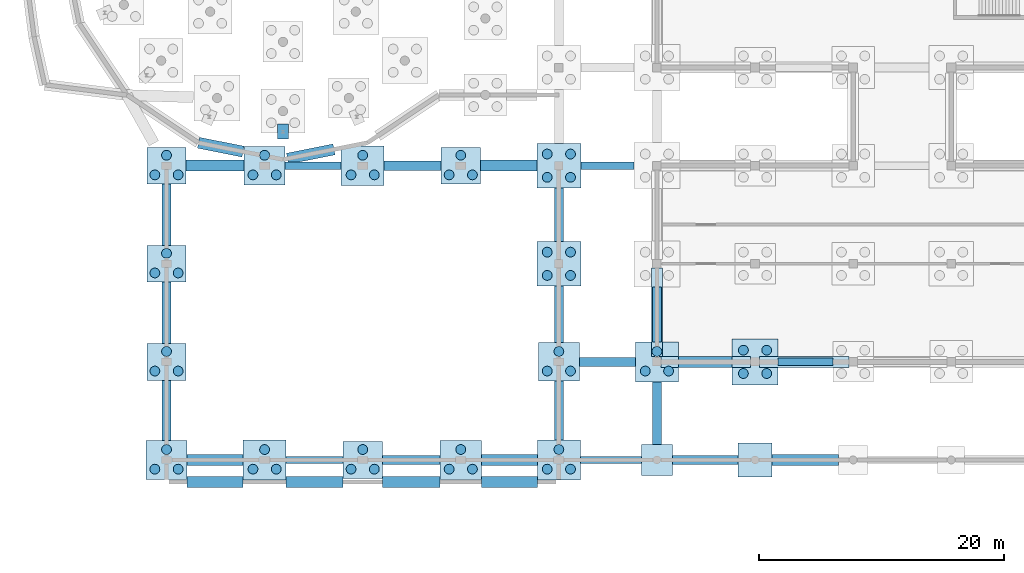
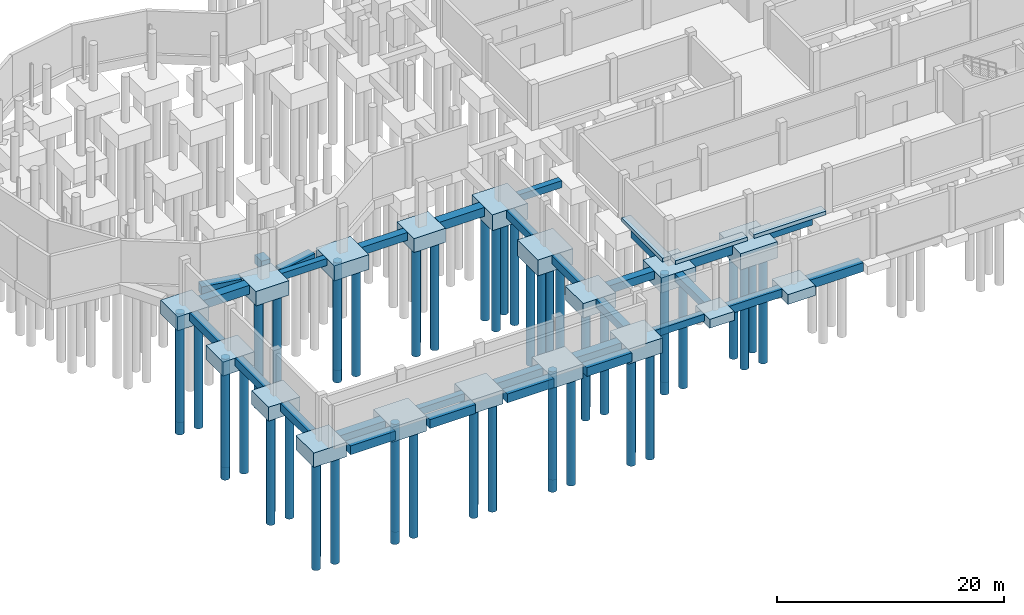
# One storey, part 1 of 51: 51 footings, 51 piles.
"""IFC4 building model written with IfcOpenShell, lengths in metres."""

from ifc_helpers import new_model, si_unit, direction, frame, origin, origin_2d, place, context, subcontext, project, spatial, rectangle, circle, extrude, material, material_profile, profile_set, type_object, element, save


model = new_model("IFC4")

# Units and contexts
model_context = context("Model", 3, precision=1e-05, world=origin(), true_north=direction((0.0, 1.0)))
body_context = subcontext(model_context, "Body", "Model", "MODEL_VIEW")
ifc_project = project(units=[si_unit("LENGTHUNIT", "METRE"), si_unit("AREAUNIT", "SQUARE_METRE"), si_unit("VOLUMEUNIT", "CUBIC_METRE"), si_unit("PLANEANGLEUNIT", "RADIAN"), si_unit("MASSUNIT", "GRAM", prefix="KILO")], contexts=[model_context])

# Site, building, storey
site_placement = place(None, origin())
site = spatial("IfcSite", under=ifc_project, at=site_placement, CompositionType="ELEMENT")
building_placement = place(site_placement, origin())
building = spatial("IfcBuilding", under=site, at=building_placement, Name="Jelvoka-Kovrelna Polytechnic", CompositionType="ELEMENT")
storey_placement = place(building_placement, frame((0.0, 0.0, -4.5)))
storey = spatial("IfcBuildingStorey", under=building, at=storey_placement, Name="B01", CompositionType="ELEMENT", Elevation=-4.5)

# Footings
ifc_material_1 = material(Name="Concrete C35/45", Category="concrete")
footing_type_1 = type_object("IfcFootingType", Name="Footing_Pad_PF2", PredefinedType="PAD_FOOTING", material=ifc_material_1)
footing_1_placement = place(storey_placement, frame((56.0, 0.0, -1.35498046875), z_axis=(0.0, 0.0, 1.0), x_axis=(1.0, 0.0, 0.0)))
element("IfcFooting", 1, at=footing_1_placement, inside=storey, type_object=footing_type_1, Name="Isolated pad footing PF-001", PredefinedType="PAD_FOOTING", context=body_context, shape_type="SweptSolid", body=[
    extrude(rectangle(XDim=2.5, YDim=2.5, at=origin_2d()), origin(), (0.0, 0.0, 1.0), 0.949951171875),
])
ifc_material_2 = material(Name="Concrete C35/45", Category="concrete")
footing_type_2 = type_object("IfcFootingType", Name="Footing_Pad_PF3", PredefinedType="PAD_FOOTING", material=ifc_material_2)
footing_2_placement = place(storey_placement, frame((64.0, 0.0, -1.455078125), z_axis=(0.0, 0.0, 1.0), x_axis=(1.0, 0.0, 0.0)))
element("IfcFooting", 2, at=footing_2_placement, inside=storey, type_object=footing_type_2, Name="Isolated pad footing PF-002", PredefinedType="PAD_FOOTING", context=body_context, shape_type="SweptSolid", body=[
    extrude(rectangle(XDim=2.800048828125, YDim=2.800048828125, at=origin_2d()), origin(), (0.0, 0.0, 1.0), 1.050048828125),
])
ifc_material_3 = material(Name="Concrete C35/45", Category="concrete")
footing_type_3 = type_object("IfcFootingType", Name="Footing_PileCap_PC3A", PredefinedType="PILE_CAP", material=ifc_material_3)
for number, where, z_axis, x_axis, name in (
    (3, (32.0, 0.0, -1.905029296875), (0.0, 0.0, 1.0), (1.0, 0.0, 0.0), "Bored pile cap 003 (PC-3)"),
    (4, (16.0, 8.0, -1.905029296875), (0.0, 0.0, 1.0), (1.0, 0.0, 0.0), "Bored pile cap 012 (PC-3)"),
    (5, (16.0, 16.0, -1.905029296875), (0.0, 0.0, 1.0), (1.0, 0.0, 0.0), "Bored pile cap 033 (PC-3)"),
    (6, (16.0, 24.0, -1.905029296875), (0.0, 0.0, 1.0), (1.0, 0.0, 0.0), "Bored pile cap 054 (PC-3)"),
    (7, (40.0, 24.0, -1.905029296875), (0.0, 0.0, 1.0), (1.0, 0.0, 0.0), "Bored pile cap 057 (PC-3)"),
):
    element("IfcFooting", number, at=place(storey_placement, frame(where, z_axis=z_axis, x_axis=x_axis)), inside=storey, type_object=footing_type_3, Name=name, PredefinedType="PILE_CAP", context=body_context, shape_type="SweptSolid", body=[
        extrude(rectangle(XDim=3.199951171875, YDim=3.0, at=origin_2d()), origin(), (0.0, 0.0, 1.0), 1.5),
    ])
ifc_material_4 = material(Name="Concrete C35/45", Category="concrete")
footing_type_4 = type_object("IfcFootingType", Name="Footing_PileCap_PC3B", PredefinedType="PILE_CAP", material=ifc_material_4)
for number, where, z_axis, x_axis, name in (
    (8, (16.0, 0.0, -1.955078125), (0.0, 0.0, 1.0), (1.0, 0.0, 0.0), "Bored pile cap 001 (PC-3)"),
    (9, (40.0, 0.0, -1.955078125), (0.0, 0.0, 1.0), (1.0, 0.0, 0.0), "Bored pile cap 004 (PC-3)"),
    (10, (48.0, 8.0, -1.955078125), (0.0, 0.0, 1.0), (1.0, 0.0, 0.0), "Bored pile cap 013 (PC-3)"),
    (11, (24.0, 24.0, -1.955078125), (0.0, 0.0, 1.0), (1.0, 0.0, 0.0), "Bored pile cap 055 (PC-3)"),
):
    element("IfcFooting", number, at=place(storey_placement, frame(where, z_axis=z_axis, x_axis=x_axis)), inside=storey, type_object=footing_type_4, Name=name, PredefinedType="PILE_CAP", context=body_context, shape_type="SweptSolid", body=[
        extrude(rectangle(XDim=3.35009765625, YDim=3.14990234375, at=origin_2d()), origin(), (0.0, 0.0, 1.0), 1.550048828125),
    ])
ifc_material_5 = material(Name="Concrete C35/45", Category="concrete")
footing_type_5 = type_object("IfcFootingType", Name="Footing_PileCap_PC3C", PredefinedType="PILE_CAP", material=ifc_material_5)
for number, where, z_axis, x_axis, name in (
    (12, (24.0, 0.0, -2.005126953125), (0.0, 0.0, 1.0), (1.0, 0.0, 0.0), "Bored pile cap 002 (PC-3)"),
    (13, (48.0, 0.0, -2.005126953125), (0.0, 0.0, 1.0), (1.0, 0.0, 0.0), "Bored pile cap 005 (PC-3)"),
    (14, (56.0, 8.0, -2.005126953125), (0.0, 0.0, 1.0), (1.0, 0.0, 0.0), "Bored pile cap 014 (PC-3)"),
    (15, (32.0, 24.0, -2.005126953125), (0.0, 0.0, 1.0), (1.0, 0.0, 0.0), "Bored pile cap 056 (PC-3)"),
):
    element("IfcFooting", number, at=place(storey_placement, frame(where, z_axis=z_axis, x_axis=x_axis)), inside=storey, type_object=footing_type_5, Name=name, PredefinedType="PILE_CAP", context=body_context, shape_type="SweptSolid", body=[
        extrude(rectangle(XDim=3.5, YDim=3.25, at=origin_2d()), origin(), (0.0, 0.0, 1.0), 1.60009765625),
    ])
ifc_material_6 = material(Name="Concrete C35/45", Category="concrete")
footing_type_6 = type_object("IfcFootingType", Name="Footing_PileCap_PC4C", PredefinedType="PILE_CAP", material=ifc_material_6)
for number, where, z_axis, x_axis, name in (
    (16, (48.0, 16.0, -2.10498046875), (0.0, 0.0, 1.0), (1.0, 0.0, 0.0), "Bored pile cap 034 (PC-4)"),
    (17, (48.0, 24.0, -2.10498046875), (0.0, 0.0, 1.0), (1.0, 0.0, 0.0), "Bored pile cap 058 (PC-4)"),
):
    element("IfcFooting", number, at=place(storey_placement, frame(where, z_axis=z_axis, x_axis=x_axis)), inside=storey, type_object=footing_type_6, Name=name, PredefinedType="PILE_CAP", context=body_context, shape_type="SweptSolid", body=[
        extrude(rectangle(XDim=3.60009765625, YDim=3.60009765625, at=origin_2d()), origin(), (0.0, 0.0, 1.0), 1.699951171875),
    ])
ifc_material_7 = material(Name="Concrete C35/45", Category="concrete")
footing_type_7 = type_object("IfcFootingType", Name="Footing_PileCap_PC4D", PredefinedType="PILE_CAP", material=ifc_material_7)
footing_3_placement = place(storey_placement, frame((64.0, 8.0, -2.155029296875), z_axis=(0.0, 0.0, 1.0), x_axis=(1.0, 0.0, 0.0)))
element("IfcFooting", 18, at=footing_3_placement, inside=storey, type_object=footing_type_7, Name="Bored pile cap 015 (PC-4)", PredefinedType="PILE_CAP", context=body_context, shape_type="SweptSolid", body=[
    extrude(rectangle(XDim=3.75, YDim=3.75, at=origin_2d()), origin(), (0.0, 0.0, 1.0), 1.75),
])
ifc_material_8 = material(Name="Concrete C35/45", Category="concrete")
footing_type_8 = type_object("IfcFootingType", Name="Footing_Strip_SF1", PredefinedType="STRIP_FOOTING", material=ifc_material_8)
footing_4_placement = place(storey_placement, frame((28.074951171875, 0.0, -1.155029296875), z_axis=(0.0, 0.0, 1.0), x_axis=(1.0, 0.0, 0.0)))
element("IfcFooting", 19, at=footing_4_placement, inside=storey, type_object=footing_type_8, Name="Strip foundation tie beam 006", PredefinedType="STRIP_FOOTING", context=body_context, shape_type="SweptSolid", body=[
    extrude(rectangle(XDim=4.64599609375, YDim=0.60009765625, at=origin_2d()), origin(), (0.0, 0.0, 1.0), 0.75),
])
footing_5_placement = place(storey_placement, frame((27.96240234375, 24.0, -1.155029296875), z_axis=(0.0, 0.0, 1.0), x_axis=(1.0, 0.0, 0.0)))
element("IfcFooting", 20, at=footing_5_placement, inside=storey, type_object=footing_type_8, Name="Strip foundation tie beam 007", PredefinedType="STRIP_FOOTING", context=body_context, shape_type="SweptSolid", body=[
    extrude(rectangle(XDim=4.571044921875, YDim=0.60009765625, at=origin_2d()), origin(), (0.0, 0.0, 1.0), 0.75),
])
footing_6_placement = place(storey_placement, frame((52.25, 0.0, -1.155029296875), z_axis=(0.0, 0.0, 1.0), x_axis=(1.0, 0.0, 0.0)))
element("IfcFooting", 21, at=footing_6_placement, inside=storey, type_object=footing_type_8, Name="Strip foundation tie beam 012", PredefinedType="STRIP_FOOTING", context=body_context, shape_type="SweptSolid", body=[
    extrude(rectangle(XDim=4.99609375, YDim=0.60009765625, at=origin_2d()), origin(), (0.0, 0.0, 1.0), 0.75),
])
footing_7_placement = place(storey_placement, frame((51.96240234375, 24.0, -1.155029296875), z_axis=(0.0, 0.0, 1.0), x_axis=(1.0, 0.0, 0.0)))
element("IfcFooting", 22, at=footing_7_placement, inside=storey, type_object=footing_type_8, Name="Strip foundation tie beam 017", PredefinedType="STRIP_FOOTING", context=body_context, shape_type="SweptSolid", body=[
    extrude(rectangle(XDim=4.321044921875, YDim=0.60009765625, at=origin_2d()), origin(), (0.0, 0.0, 1.0), 0.75),
])
footing_8_placement = place(storey_placement, frame((68.112548828125, 8.0, -1.155029296875), z_axis=(0.0, 0.0, 1.0), x_axis=(1.0, 0.0, 0.0)))
element("IfcFooting", 23, at=footing_8_placement, inside=storey, type_object=footing_type_8, Name="Strip foundation tie beam 053", PredefinedType="STRIP_FOOTING", context=body_context, shape_type="SweptSolid", body=[
    extrude(rectangle(XDim=4.470947265625, YDim=0.60009765625, at=origin_2d()), origin(), (0.0, 0.0, 1.0), 0.75),
])
ifc_material_9 = material(Name="Concrete C35/45", Category="concrete")
footing_type_9 = type_object("IfcFootingType", Name="Footing_Strip_SF2", PredefinedType="STRIP_FOOTING", material=ifc_material_9)
footing_9_placement = place(storey_placement, frame((16.0, 4.03759765625, -1.255126953125), z_axis=(0.0, 0.0, 1.0), x_axis=(0.0, 1.0, 0.0)))
element("IfcFooting", 24, at=footing_9_placement, inside=storey, type_object=footing_type_9, Name="Strip foundation tie beam 002", PredefinedType="STRIP_FOOTING", context=body_context, shape_type="SweptSolid", body=[
    extrude(rectangle(XDim=4.9208984375, YDim=0.75, at=origin_2d()), origin(), (0.0, 0.0, 1.0), 0.85009765625),
])
for number, where, z_axis, x_axis, name in (
    (25, (16.0, 12.0, -1.255126953125), (0.0, 0.0, 1.0), (0.0, 1.0, 0.0), "Strip foundation tie beam 003"),
    (26, (16.0, 20.0, -1.255126953125), (0.0, 0.0, 1.0), (0.0, 1.0, 0.0), "Strip foundation tie beam 004"),
):
    element("IfcFooting", number, at=place(storey_placement, frame(where, z_axis=z_axis, x_axis=x_axis)), inside=storey, type_object=footing_type_9, Name=name, PredefinedType="STRIP_FOOTING", context=body_context, shape_type="SweptSolid", body=[
        extrude(rectangle(XDim=4.99609375, YDim=0.75, at=origin_2d()), origin(), (0.0, 0.0, 1.0), 0.85009765625),
    ])
footing_10_placement = place(storey_placement, frame((35.96240234375, 0.0, -1.255126953125), z_axis=(0.0, 0.0, 1.0), x_axis=(1.0, 0.0, 0.0)))
element("IfcFooting", 27, at=footing_10_placement, inside=storey, type_object=footing_type_9, Name="Strip foundation tie beam 008", PredefinedType="STRIP_FOOTING", context=body_context, shape_type="SweptSolid", body=[
    extrude(rectangle(XDim=4.720947265625, YDim=0.75, at=origin_2d()), origin(), (0.0, 0.0, 1.0), 0.85009765625),
])
footing_11_placement = place(storey_placement, frame((36.074951171875, 24.0, -1.255126953125), z_axis=(0.0, 0.0, 1.0), x_axis=(1.0, 0.0, 0.0)))
element("IfcFooting", 28, at=footing_11_placement, inside=storey, type_object=footing_type_9, Name="Strip foundation tie beam 009", PredefinedType="STRIP_FOOTING", context=body_context, shape_type="SweptSolid", body=[
    extrude(rectangle(XDim=4.64599609375, YDim=0.75, at=origin_2d()), origin(), (0.0, 0.0, 1.0), 0.85009765625),
])
footing_12_placement = place(storey_placement, frame((48.0, 4.02490234375, -1.255126953125), z_axis=(0.0, 0.0, 1.0), x_axis=(0.0, 1.0, 0.0)))
element("IfcFooting", 29, at=footing_12_placement, inside=storey, type_object=footing_type_9, Name="Strip foundation tie beam 013", PredefinedType="STRIP_FOOTING", context=body_context, shape_type="SweptSolid", body=[
    extrude(rectangle(XDim=4.7958984375, YDim=0.75, at=origin_2d()), origin(), (0.0, 0.0, 1.0), 0.85009765625),
])
footing_13_placement = place(storey_placement, frame((51.96240234375, 8.0, -1.255126953125), z_axis=(0.0, 0.0, 1.0), x_axis=(1.0, 0.0, 0.0)))
element("IfcFooting", 30, at=footing_13_placement, inside=storey, type_object=footing_type_9, Name="Strip foundation tie beam 014", PredefinedType="STRIP_FOOTING", context=body_context, shape_type="SweptSolid", body=[
    extrude(rectangle(XDim=4.571044921875, YDim=0.75, at=origin_2d()), origin(), (0.0, 0.0, 1.0), 0.85009765625),
])
footing_14_placement = place(storey_placement, frame((48.0, 11.887451171875, -1.255126953125), z_axis=(0.0, 0.0, 1.0), x_axis=(0.0, 1.0, 0.0)))
element("IfcFooting", 31, at=footing_14_placement, inside=storey, type_object=footing_type_9, Name="Strip foundation tie beam 015", PredefinedType="STRIP_FOOTING", context=body_context, shape_type="SweptSolid", body=[
    extrude(rectangle(XDim=4.62109375, YDim=0.75, at=origin_2d()), origin(), (0.0, 0.0, 1.0), 0.85009765625),
])
footing_15_placement = place(storey_placement, frame((48.0, 20.0, -1.255126953125), z_axis=(0.0, 0.0, 1.0), x_axis=(0.0, 1.0, 0.0)))
element("IfcFooting", 32, at=footing_15_placement, inside=storey, type_object=footing_type_9, Name="Strip foundation tie beam 016", PredefinedType="STRIP_FOOTING", context=body_context, shape_type="SweptSolid", body=[
    extrude(rectangle(XDim=4.39599609375, YDim=0.75, at=origin_2d()), origin(), (0.0, 0.0, 1.0), 0.85009765625),
])
footing_16_placement = place(storey_placement, frame((59.925048828125, 0.0, -1.255126953125), z_axis=(0.0, 0.0, 1.0), x_axis=(1.0, 0.0, 0.0)))
element("IfcFooting", 33, at=footing_16_placement, inside=storey, type_object=footing_type_9, Name="Strip foundation tie beam 032", PredefinedType="STRIP_FOOTING", context=body_context, shape_type="SweptSolid", body=[
    extrude(rectangle(XDim=5.345947265625, YDim=0.75, at=origin_2d()), origin(), (0.0, 0.0, 1.0), 0.85009765625),
])
footing_17_placement = place(storey_placement, frame((56.0, 3.8125, -1.255126953125), z_axis=(0.0, 0.0, 1.0), x_axis=(0.0, 1.0, 0.0)))
element("IfcFooting", 34, at=footing_17_placement, inside=storey, type_object=footing_type_9, Name="Strip foundation tie beam 033", PredefinedType="STRIP_FOOTING", context=body_context, shape_type="SweptSolid", body=[
    extrude(rectangle(XDim=5.12109375, YDim=0.75, at=origin_2d()), origin(), (0.0, 0.0, 1.0), 0.85009765625),
])
footing_18_placement = place(storey_placement, frame((56.0, 11.875, -1.255126953125), z_axis=(0.0, 0.0, 1.0), x_axis=(0.0, 1.0, 0.0)))
element("IfcFooting", 35, at=footing_18_placement, inside=storey, type_object=footing_type_9, Name="Strip foundation tie beam 035", PredefinedType="STRIP_FOOTING", context=body_context, shape_type="SweptSolid", body=[
    extrude(rectangle(XDim=4.49609375, YDim=0.75, at=origin_2d()), origin(), (0.0, 0.0, 1.0), 0.85009765625),
])
ifc_material_10 = material(Name="Concrete C35/45", Category="concrete")
footing_type_10 = type_object("IfcFootingType", Name="Footing_Strip_SF3", PredefinedType="STRIP_FOOTING", material=ifc_material_10)
footing_19_placement = place(storey_placement, frame((19.96240234375, 0.0, -1.35498046875), z_axis=(0.0, 0.0, 1.0), x_axis=(1.0, 0.0, 0.0)))
element("IfcFooting", 36, at=footing_19_placement, inside=storey, type_object=footing_type_10, Name="Strip foundation tie beam 001", PredefinedType="STRIP_FOOTING", context=body_context, shape_type="SweptSolid", body=[
    extrude(rectangle(XDim=4.571044921875, YDim=0.89990234375, at=origin_2d()), origin(), (0.0, 0.0, 1.0), 0.949951171875),
])
footing_20_placement = place(storey_placement, frame((19.96240234375, 24.0, -1.35498046875), z_axis=(0.0, 0.0, 1.0), x_axis=(1.0, 0.0, 0.0)))
element("IfcFooting", 37, at=footing_20_placement, inside=storey, type_object=footing_type_10, Name="Strip foundation tie beam 005", PredefinedType="STRIP_FOOTING", context=body_context, shape_type="SweptSolid", body=[
    extrude(rectangle(XDim=4.720947265625, YDim=0.89990234375, at=origin_2d()), origin(), (0.0, 0.0, 1.0), 0.949951171875),
])
footing_21_placement = place(storey_placement, frame((43.96240234375, 0.0, -1.35498046875), z_axis=(0.0, 0.0, 1.0), x_axis=(1.0, 0.0, 0.0)))
element("IfcFooting", 38, at=footing_21_placement, inside=storey, type_object=footing_type_10, Name="Strip foundation tie beam 010", PredefinedType="STRIP_FOOTING", context=body_context, shape_type="SweptSolid", body=[
    extrude(rectangle(XDim=4.571044921875, YDim=0.89990234375, at=origin_2d()), origin(), (0.0, 0.0, 1.0), 0.949951171875),
])
footing_22_placement = place(storey_placement, frame((43.89990234375, 24.0, -1.35498046875), z_axis=(0.0, 0.0, 1.0), x_axis=(1.0, 0.0, 0.0)))
element("IfcFooting", 39, at=footing_22_placement, inside=storey, type_object=footing_type_10, Name="Strip foundation tie beam 011", PredefinedType="STRIP_FOOTING", context=body_context, shape_type="SweptSolid", body=[
    extrude(rectangle(XDim=4.595947265625, YDim=0.89990234375, at=origin_2d()), origin(), (0.0, 0.0, 1.0), 0.949951171875),
])
footing_23_placement = place(storey_placement, frame((59.9375, 8.0, -1.35498046875), z_axis=(0.0, 0.0, 1.0), x_axis=(1.0, 0.0, 0.0)))
element("IfcFooting", 40, at=footing_23_placement, inside=storey, type_object=footing_type_10, Name="Strip foundation tie beam 034", PredefinedType="STRIP_FOOTING", context=body_context, shape_type="SweptSolid", body=[
    extrude(rectangle(XDim=4.37109375, YDim=0.89990234375, at=origin_2d()), origin(), (0.0, 0.0, 1.0), 0.949951171875),
])
footing_24_placement = place(storey_placement, frame((68.112548828125, 0.0, -1.35498046875), z_axis=(0.0, 0.0, 1.0), x_axis=(1.0, 0.0, 0.0)))
element("IfcFooting", 41, at=footing_24_placement, inside=storey, type_object=footing_type_10, Name="Strip foundation tie beam 052", PredefinedType="STRIP_FOOTING", context=body_context, shape_type="SweptSolid", body=[
    extrude(rectangle(XDim=5.4208984375, YDim=0.89990234375, at=origin_2d()), origin(), (0.0, 0.0, 1.0), 0.949951171875),
])
footing_25_placement = place(storey_placement, frame((20.4248046875, 25.509521484375, -1.35498046875), z_axis=(0.0, 0.0, 1.0), x_axis=(-0.980785280403, 0.195090322016, 0.0)))
element("IfcFooting", 42, at=footing_25_placement, inside=storey, type_object=footing_type_10, Name="Strip foundation tie beam 310", PredefinedType="STRIP_FOOTING", context=body_context, shape_type="SweptSolid", body=[
    extrude(rectangle(XDim=3.697509765625, YDim=0.89990234375, at=origin_2d()), origin(), (0.0, 0.0, 1.0), 0.949951171875),
])
footing_26_placement = place(storey_placement, frame((27.768310546875, 24.951171875, -1.35498046875), z_axis=(0.0, 0.0, 1.0), x_axis=(0.980785280403, 0.195090322016, 0.0)))
element("IfcFooting", 43, at=footing_26_placement, inside=storey, type_object=footing_type_10, Name="Strip foundation tie beam 311", PredefinedType="STRIP_FOOTING", context=body_context, shape_type="SweptSolid", body=[
    extrude(rectangle(XDim=3.85888671875, YDim=0.89990234375, at=origin_2d()), origin(), (0.0, 0.0, 1.0), 0.949951171875),
])
footing_27_placement = place(storey_placement, frame((19.96240234375, -1.800048828125, -1.35498046875), z_axis=(0.0, 0.0, 1.0), x_axis=(1.0, 0.0, 0.0)))
element("IfcFooting", 44, at=footing_27_placement, inside=storey, type_object=footing_type_10, Name="Strip foundation tie beam 348", PredefinedType="STRIP_FOOTING", context=body_context, shape_type="SweptSolid", body=[
    extrude(rectangle(XDim=4.571044921875, YDim=0.89990234375, at=origin_2d()), origin(), (0.0, 0.0, 1.0), 0.949951171875),
])
footing_28_placement = place(storey_placement, frame((28.074951171875, -1.800048828125, -1.35498046875), z_axis=(0.0, 0.0, 1.0), x_axis=(1.0, 0.0, 0.0)))
element("IfcFooting", 45, at=footing_28_placement, inside=storey, type_object=footing_type_10, Name="Strip foundation tie beam 349", PredefinedType="STRIP_FOOTING", context=body_context, shape_type="SweptSolid", body=[
    extrude(rectangle(XDim=4.64599609375, YDim=0.89990234375, at=origin_2d()), origin(), (0.0, 0.0, 1.0), 0.949951171875),
])
footing_29_placement = place(storey_placement, frame((35.96240234375, -1.800048828125, -1.35498046875), z_axis=(0.0, 0.0, 1.0), x_axis=(1.0, 0.0, 0.0)))
element("IfcFooting", 46, at=footing_29_placement, inside=storey, type_object=footing_type_10, Name="Strip foundation tie beam 350", PredefinedType="STRIP_FOOTING", context=body_context, shape_type="SweptSolid", body=[
    extrude(rectangle(XDim=4.720947265625, YDim=0.89990234375, at=origin_2d()), origin(), (0.0, 0.0, 1.0), 0.949951171875),
])
footing_30_placement = place(storey_placement, frame((43.96240234375, -1.800048828125, -1.35498046875), z_axis=(0.0, 0.0, 1.0), x_axis=(1.0, 0.0, 0.0)))
element("IfcFooting", 47, at=footing_30_placement, inside=storey, type_object=footing_type_10, Name="Strip foundation tie beam 351", PredefinedType="STRIP_FOOTING", context=body_context, shape_type="SweptSolid", body=[
    extrude(rectangle(XDim=4.571044921875, YDim=0.89990234375, at=origin_2d()), origin(), (0.0, 0.0, 1.0), 0.949951171875),
])
footing_31_placement = place(storey_placement, frame((25.5, 26.780029296875, -1.35498046875), z_axis=(0.0, 0.0, 1.0), x_axis=(0.0, 1.0, 0.0)))
element("IfcFooting", 48, at=footing_31_placement, inside=storey, type_object=footing_type_10, Name="B01 rotunda gallery post strip footing 10", PredefinedType="STRIP_FOOTING", context=body_context, shape_type="SweptSolid", body=[
    extrude(rectangle(XDim=1.199951171875, YDim=0.89990234375, at=origin_2d()), origin(), (0.0, 0.0, 1.0), 0.949951171875),
])
for number, where, z_axis, x_axis, name in (
    (49, (60.0, 8.0, -0.40478515625), (0.0, 0.0, 1.0), (1.0, 0.0, 0.0), "Strip foundation plinth beam B01W-001"),
    (50, (68.0, 8.0, -0.40478515625), (0.0, 0.0, 1.0), (1.0, 0.0, 0.0), "Strip foundation plinth beam B01W-003"),
):
    element("IfcFooting", number, at=place(storey_placement, frame(where, z_axis=z_axis, x_axis=x_axis)), inside=storey, type_object=footing_type_10, Name=name, PredefinedType="STRIP_FOOTING", context=body_context, shape_type="SweptSolid", body=[
        extrude(rectangle(XDim=7.300048828125, YDim=0.89990234375, at=origin_2d()), origin(), (0.0, 0.0, 1.0), 0.405029296875),
    ])
footing_32_placement = place(storey_placement, frame((56.0, 12.051025390625, -0.40478515625), z_axis=(0.0, 0.0, 1.0), x_axis=(0.0, 1.0, 0.0)))
element("IfcFooting", 51, at=footing_32_placement, inside=storey, type_object=footing_type_10, Name="Strip foundation plinth beam B01W-033", PredefinedType="STRIP_FOOTING", context=body_context, shape_type="SweptSolid", body=[
    extrude(rectangle(XDim=7.197998046875, YDim=0.89990234375, at=origin_2d()), origin(), (0.0, 0.0, 1.0), 0.405029296875),
])

# Piles
ifc_material_11 = material(Name="Concrete C35/45", Category="concrete")
ifc_material_profile = material_profile(ifc_material_11, circle(Radius=0.39990234375, at=origin_2d()), Name="PILE D800")
ifc_profile_set = profile_set([ifc_material_profile], Name="Concrete C35/45")
pile_type = type_object("IfcPileType", Name="Pile_Bored_800", PredefinedType="BORED", material=ifc_profile_set)
for number, where, z_axis, x_axis, name in (
    (52, (15.050048828125, -0.75, -1.85498046875), (0.0, 0.0, -1.0), (1.0, 0.0, 0.0), "Bored concrete pile 001-1"),
    (53, (16.949951171875, -0.75, -1.85498046875), (0.0, 0.0, -1.0), (1.0, 0.0, 0.0), "Bored concrete pile 001-2"),
    (54, (16.0, 0.85009765625, -1.85498046875), (0.0, 0.0, -1.0), (1.0, 0.0, 0.0), "Bored concrete pile 001-3"),
):
    element("IfcPile", number, at=place(storey_placement, frame(where, z_axis=z_axis, x_axis=x_axis)), inside=storey, type_object=pile_type, Name=name, PredefinedType="BORED", context=body_context, shape_type="SweptSolid", body=[
        extrude(circle(Radius=0.39990234375, at=origin_2d()), origin(), (0.0, 0.0, 1.0), 11.64501953125),
    ])
for number, where, z_axis, x_axis, name in (
    (55, (23.050048828125, -0.75, -1.905029296875), (0.0, 0.0, -1.0), (1.0, 0.0, 0.0), "Bored concrete pile 002-1"),
    (56, (24.949951171875, -0.75, -1.905029296875), (0.0, 0.0, -1.0), (1.0, 0.0, 0.0), "Bored concrete pile 002-2"),
    (57, (24.0, 0.85009765625, -1.905029296875), (0.0, 0.0, -1.0), (1.0, 0.0, 0.0), "Bored concrete pile 002-3"),
):
    element("IfcPile", number, at=place(storey_placement, frame(where, z_axis=z_axis, x_axis=x_axis)), inside=storey, type_object=pile_type, Name=name, PredefinedType="BORED", context=body_context, shape_type="SweptSolid", body=[
        extrude(circle(Radius=0.39990234375, at=origin_2d()), origin(), (0.0, 0.0, 1.0), 11.594970703125),
    ])
for number, where, z_axis, x_axis, name in (
    (58, (31.050048828125, -0.75, -1.804931640625), (0.0, 0.0, -1.0), (1.0, 0.0, 0.0), "Bored concrete pile 003-1"),
    (59, (32.949951171875, -0.75, -1.804931640625), (0.0, 0.0, -1.0), (1.0, 0.0, 0.0), "Bored concrete pile 003-2"),
    (60, (32.0, 0.85009765625, -1.804931640625), (0.0, 0.0, -1.0), (1.0, 0.0, 0.0), "Bored concrete pile 003-3"),
):
    element("IfcPile", number, at=place(storey_placement, frame(where, z_axis=z_axis, x_axis=x_axis)), inside=storey, type_object=pile_type, Name=name, PredefinedType="BORED", context=body_context, shape_type="SweptSolid", body=[
        extrude(circle(Radius=0.39990234375, at=origin_2d()), origin(), (0.0, 0.0, 1.0), 11.695068359375),
    ])
for number, where, z_axis, x_axis, name in (
    (61, (39.050048828125, -0.75, -1.85498046875), (0.0, 0.0, -1.0), (1.0, 0.0, 0.0), "Bored concrete pile 004-1"),
    (62, (40.949951171875, -0.75, -1.85498046875), (0.0, 0.0, -1.0), (1.0, 0.0, 0.0), "Bored concrete pile 004-2"),
    (63, (40.0, 0.85009765625, -1.85498046875), (0.0, 0.0, -1.0), (1.0, 0.0, 0.0), "Bored concrete pile 004-3"),
):
    element("IfcPile", number, at=place(storey_placement, frame(where, z_axis=z_axis, x_axis=x_axis)), inside=storey, type_object=pile_type, Name=name, PredefinedType="BORED", context=body_context, shape_type="SweptSolid", body=[
        extrude(circle(Radius=0.39990234375, at=origin_2d()), origin(), (0.0, 0.0, 1.0), 11.64501953125),
    ])
for number, where, z_axis, x_axis, name in (
    (64, (47.050048828125, -0.75, -1.905029296875), (0.0, 0.0, -1.0), (1.0, 0.0, 0.0), "Bored concrete pile 005-1"),
    (65, (48.949951171875, -0.75, -1.905029296875), (0.0, 0.0, -1.0), (1.0, 0.0, 0.0), "Bored concrete pile 005-2"),
    (66, (48.0, 0.85009765625, -1.905029296875), (0.0, 0.0, -1.0), (1.0, 0.0, 0.0), "Bored concrete pile 005-3"),
):
    element("IfcPile", number, at=place(storey_placement, frame(where, z_axis=z_axis, x_axis=x_axis)), inside=storey, type_object=pile_type, Name=name, PredefinedType="BORED", context=body_context, shape_type="SweptSolid", body=[
        extrude(circle(Radius=0.39990234375, at=origin_2d()), origin(), (0.0, 0.0, 1.0), 11.594970703125),
    ])
for number, where, z_axis, x_axis, name in (
    (67, (15.050048828125, 7.25, -1.804931640625), (0.0, 0.0, -1.0), (1.0, 0.0, 0.0), "Bored concrete pile 012-1"),
    (68, (16.949951171875, 7.25, -1.804931640625), (0.0, 0.0, -1.0), (1.0, 0.0, 0.0), "Bored concrete pile 012-2"),
    (69, (16.0, 8.85009765625, -1.804931640625), (0.0, 0.0, -1.0), (1.0, 0.0, 0.0), "Bored concrete pile 012-3"),
):
    element("IfcPile", number, at=place(storey_placement, frame(where, z_axis=z_axis, x_axis=x_axis)), inside=storey, type_object=pile_type, Name=name, PredefinedType="BORED", context=body_context, shape_type="SweptSolid", body=[
        extrude(circle(Radius=0.39990234375, at=origin_2d()), origin(), (0.0, 0.0, 1.0), 11.695068359375),
    ])
for number, where, z_axis, x_axis, name in (
    (70, (47.050048828125, 7.25, -1.85498046875), (0.0, 0.0, -1.0), (1.0, 0.0, 0.0), "Bored concrete pile 013-1"),
    (71, (48.949951171875, 7.25, -1.85498046875), (0.0, 0.0, -1.0), (1.0, 0.0, 0.0), "Bored concrete pile 013-2"),
    (72, (48.0, 8.85009765625, -1.85498046875), (0.0, 0.0, -1.0), (1.0, 0.0, 0.0), "Bored concrete pile 013-3"),
):
    element("IfcPile", number, at=place(storey_placement, frame(where, z_axis=z_axis, x_axis=x_axis)), inside=storey, type_object=pile_type, Name=name, PredefinedType="BORED", context=body_context, shape_type="SweptSolid", body=[
        extrude(circle(Radius=0.39990234375, at=origin_2d()), origin(), (0.0, 0.0, 1.0), 11.64501953125),
    ])
for number, where, z_axis, x_axis, name in (
    (73, (55.050048828125, 7.25, -1.905029296875), (0.0, 0.0, -1.0), (1.0, 0.0, 0.0), "Bored concrete pile 014-1"),
    (74, (56.949951171875, 7.25, -1.905029296875), (0.0, 0.0, -1.0), (1.0, 0.0, 0.0), "Bored concrete pile 014-2"),
    (75, (56.0, 8.85009765625, -1.905029296875), (0.0, 0.0, -1.0), (1.0, 0.0, 0.0), "Bored concrete pile 014-3"),
):
    element("IfcPile", number, at=place(storey_placement, frame(where, z_axis=z_axis, x_axis=x_axis)), inside=storey, type_object=pile_type, Name=name, PredefinedType="BORED", context=body_context, shape_type="SweptSolid", body=[
        extrude(circle(Radius=0.39990234375, at=origin_2d()), origin(), (0.0, 0.0, 1.0), 11.594970703125),
    ])
for number, where, z_axis, x_axis, name in (
    (76, (63.050048828125, 7.050048828125, -2.054931640625), (0.0, 0.0, -1.0), (1.0, 0.0, 0.0), "Bored concrete pile 015-1"),
    (77, (64.949951171875, 7.050048828125, -2.054931640625), (0.0, 0.0, -1.0), (1.0, 0.0, 0.0), "Bored concrete pile 015-2"),
    (78, (63.050048828125, 8.949951171875, -2.054931640625), (0.0, 0.0, -1.0), (1.0, 0.0, 0.0), "Bored concrete pile 015-3"),
    (79, (64.949951171875, 8.949951171875, -2.054931640625), (0.0, 0.0, -1.0), (1.0, 0.0, 0.0), "Bored concrete pile 015-4"),
):
    element("IfcPile", number, at=place(storey_placement, frame(where, z_axis=z_axis, x_axis=x_axis)), inside=storey, type_object=pile_type, Name=name, PredefinedType="BORED", context=body_context, shape_type="SweptSolid", body=[
        extrude(circle(Radius=0.39990234375, at=origin_2d()), origin(), (0.0, 0.0, 1.0), 11.445068359375),
    ])
for number, where, z_axis, x_axis, name in (
    (80, (15.050048828125, 15.25, -1.804931640625), (0.0, 0.0, -1.0), (1.0, 0.0, 0.0), "Bored concrete pile 033-1"),
    (81, (16.949951171875, 15.25, -1.804931640625), (0.0, 0.0, -1.0), (1.0, 0.0, 0.0), "Bored concrete pile 033-2"),
    (82, (16.0, 16.85009765625, -1.804931640625), (0.0, 0.0, -1.0), (1.0, 0.0, 0.0), "Bored concrete pile 033-3"),
):
    element("IfcPile", number, at=place(storey_placement, frame(where, z_axis=z_axis, x_axis=x_axis)), inside=storey, type_object=pile_type, Name=name, PredefinedType="BORED", context=body_context, shape_type="SweptSolid", body=[
        extrude(circle(Radius=0.39990234375, at=origin_2d()), origin(), (0.0, 0.0, 1.0), 11.695068359375),
    ])
for number, where, z_axis, x_axis, name in (
    (83, (47.050048828125, 15.050048828125, -2.0048828125), (0.0, 0.0, -1.0), (1.0, 0.0, 0.0), "Bored concrete pile 034-1"),
    (84, (48.949951171875, 15.050048828125, -2.0048828125), (0.0, 0.0, -1.0), (1.0, 0.0, 0.0), "Bored concrete pile 034-2"),
    (85, (47.050048828125, 16.949951171875, -2.0048828125), (0.0, 0.0, -1.0), (1.0, 0.0, 0.0), "Bored concrete pile 034-3"),
    (86, (48.949951171875, 16.949951171875, -2.0048828125), (0.0, 0.0, -1.0), (1.0, 0.0, 0.0), "Bored concrete pile 034-4"),
):
    element("IfcPile", number, at=place(storey_placement, frame(where, z_axis=z_axis, x_axis=x_axis)), inside=storey, type_object=pile_type, Name=name, PredefinedType="BORED", context=body_context, shape_type="SweptSolid", body=[
        extrude(circle(Radius=0.39990234375, at=origin_2d()), origin(), (0.0, 0.0, 1.0), 11.4951171875),
    ])
for number, where, z_axis, x_axis, name in (
    (87, (15.050048828125, 23.25, -1.804931640625), (0.0, 0.0, -1.0), (1.0, 0.0, 0.0), "Bored concrete pile 054-1"),
    (88, (16.949951171875, 23.25, -1.804931640625), (0.0, 0.0, -1.0), (1.0, 0.0, 0.0), "Bored concrete pile 054-2"),
    (89, (16.0, 24.85009765625, -1.804931640625), (0.0, 0.0, -1.0), (1.0, 0.0, 0.0), "Bored concrete pile 054-3"),
):
    element("IfcPile", number, at=place(storey_placement, frame(where, z_axis=z_axis, x_axis=x_axis)), inside=storey, type_object=pile_type, Name=name, PredefinedType="BORED", context=body_context, shape_type="SweptSolid", body=[
        extrude(circle(Radius=0.39990234375, at=origin_2d()), origin(), (0.0, 0.0, 1.0), 11.695068359375),
    ])
for number, where, z_axis, x_axis, name in (
    (90, (23.050048828125, 23.25, -1.85498046875), (0.0, 0.0, -1.0), (1.0, 0.0, 0.0), "Bored concrete pile 055-1"),
    (91, (24.949951171875, 23.25, -1.85498046875), (0.0, 0.0, -1.0), (1.0, 0.0, 0.0), "Bored concrete pile 055-2"),
    (92, (24.0, 24.85009765625, -1.85498046875), (0.0, 0.0, -1.0), (1.0, 0.0, 0.0), "Bored concrete pile 055-3"),
):
    element("IfcPile", number, at=place(storey_placement, frame(where, z_axis=z_axis, x_axis=x_axis)), inside=storey, type_object=pile_type, Name=name, PredefinedType="BORED", context=body_context, shape_type="SweptSolid", body=[
        extrude(circle(Radius=0.39990234375, at=origin_2d()), origin(), (0.0, 0.0, 1.0), 11.64501953125),
    ])
for number, where, z_axis, x_axis, name in (
    (93, (31.050048828125, 23.25, -1.905029296875), (0.0, 0.0, -1.0), (1.0, 0.0, 0.0), "Bored concrete pile 056-1"),
    (94, (32.949951171875, 23.25, -1.905029296875), (0.0, 0.0, -1.0), (1.0, 0.0, 0.0), "Bored concrete pile 056-2"),
    (95, (32.0, 24.85009765625, -1.905029296875), (0.0, 0.0, -1.0), (1.0, 0.0, 0.0), "Bored concrete pile 056-3"),
):
    element("IfcPile", number, at=place(storey_placement, frame(where, z_axis=z_axis, x_axis=x_axis)), inside=storey, type_object=pile_type, Name=name, PredefinedType="BORED", context=body_context, shape_type="SweptSolid", body=[
        extrude(circle(Radius=0.39990234375, at=origin_2d()), origin(), (0.0, 0.0, 1.0), 11.594970703125),
    ])
for number, where, z_axis, x_axis, name in (
    (96, (39.050048828125, 23.25, -1.804931640625), (0.0, 0.0, -1.0), (1.0, 0.0, 0.0), "Bored concrete pile 057-1"),
    (97, (40.949951171875, 23.25, -1.804931640625), (0.0, 0.0, -1.0), (1.0, 0.0, 0.0), "Bored concrete pile 057-2"),
    (98, (40.0, 24.85009765625, -1.804931640625), (0.0, 0.0, -1.0), (1.0, 0.0, 0.0), "Bored concrete pile 057-3"),
):
    element("IfcPile", number, at=place(storey_placement, frame(where, z_axis=z_axis, x_axis=x_axis)), inside=storey, type_object=pile_type, Name=name, PredefinedType="BORED", context=body_context, shape_type="SweptSolid", body=[
        extrude(circle(Radius=0.39990234375, at=origin_2d()), origin(), (0.0, 0.0, 1.0), 11.695068359375),
    ])
for number, where, z_axis, x_axis, name in (
    (99, (47.050048828125, 23.050048828125, -2.0048828125), (0.0, 0.0, -1.0), (1.0, 0.0, 0.0), "Bored concrete pile 058-1"),
    (100, (48.949951171875, 23.050048828125, -2.0048828125), (0.0, 0.0, -1.0), (1.0, 0.0, 0.0), "Bored concrete pile 058-2"),
    (101, (47.050048828125, 24.949951171875, -2.0048828125), (0.0, 0.0, -1.0), (1.0, 0.0, 0.0), "Bored concrete pile 058-3"),
    (102, (48.949951171875, 24.949951171875, -2.0048828125), (0.0, 0.0, -1.0), (1.0, 0.0, 0.0), "Bored concrete pile 058-4"),
):
    element("IfcPile", number, at=place(storey_placement, frame(where, z_axis=z_axis, x_axis=x_axis)), inside=storey, type_object=pile_type, Name=name, PredefinedType="BORED", context=body_context, shape_type="SweptSolid", body=[
        extrude(circle(Radius=0.39990234375, at=origin_2d()), origin(), (0.0, 0.0, 1.0), 11.4951171875),
    ])

save(model, "model.ifc")
